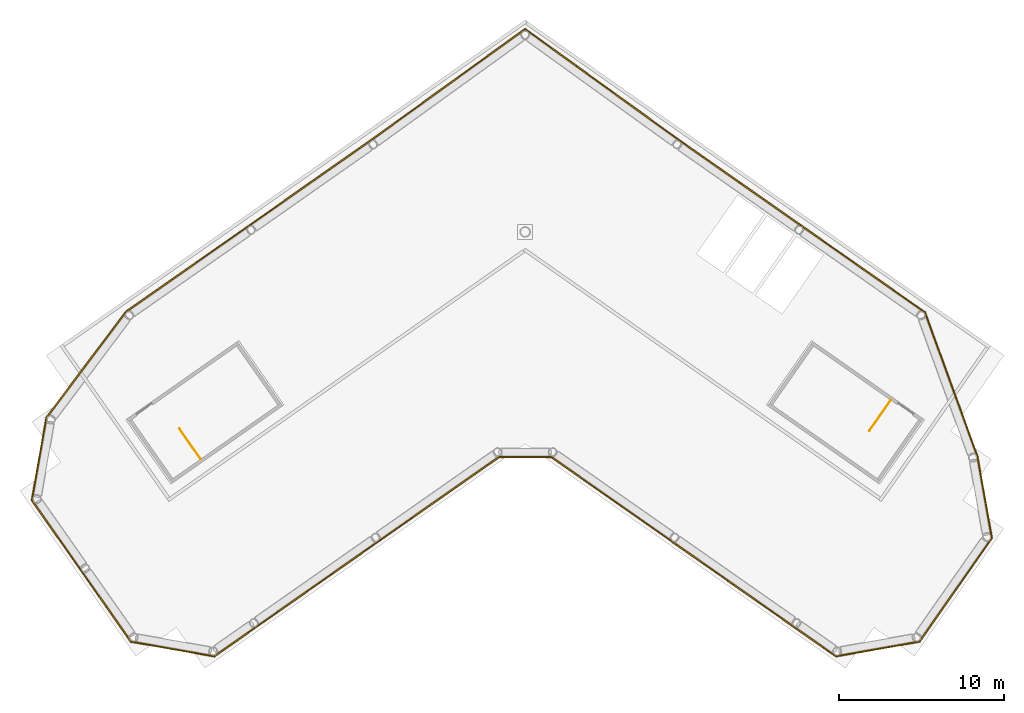
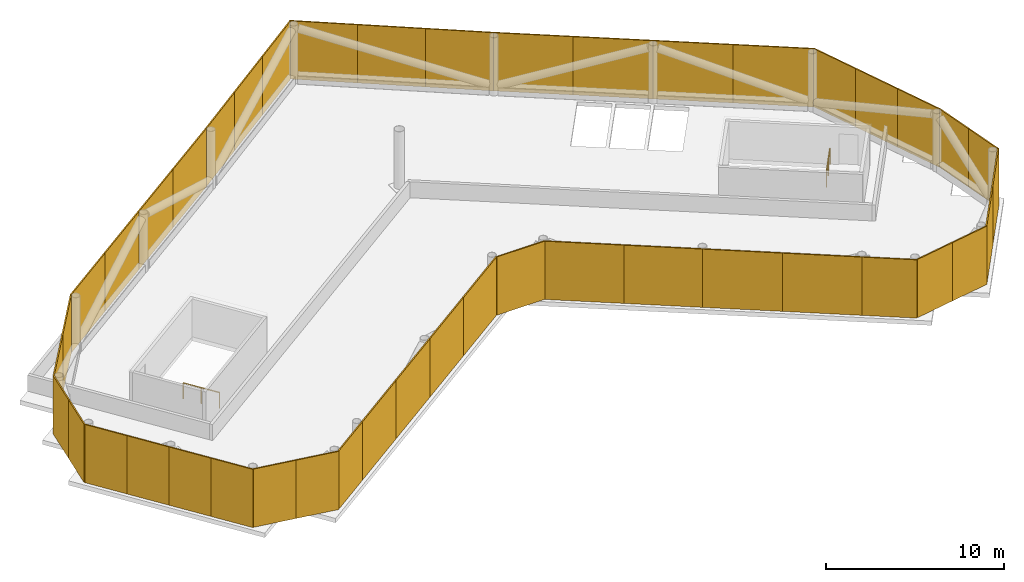
# One storey, part 4 of 4: 44 coverings, 2 railings.
"""IFC4 building model written with IfcOpenShell, lengths in metres."""

from ifc_helpers import new_model, si_unit, direction, frame, origin, origin_2d, place, context, subcontext, project, spatial, rectangle, circle, extrude, material, layer, layer_set, type_object, element, save


model = new_model("IFC4")

# Units and contexts
model_context = context("Model", 3, precision=1e-05, world=origin(), true_north=direction((0.0, 1.0)))
body_context = subcontext(model_context, "Body", "Model", "MODEL_VIEW")
ifc_project = project(units=[si_unit("LENGTHUNIT", "METRE"), si_unit("AREAUNIT", "SQUARE_METRE"), si_unit("VOLUMEUNIT", "CUBIC_METRE"), si_unit("PLANEANGLEUNIT", "RADIAN"), si_unit("MASSUNIT", "GRAM", prefix="KILO")], contexts=[model_context])

# Site, building, storey
site_placement = place(None, origin())
site = spatial("IfcSite", under=ifc_project, at=site_placement, CompositionType="ELEMENT")
building_placement = place(site_placement, origin())
building = spatial("IfcBuilding", under=site, at=building_placement, Name="Tel Ilan Convention Tower", CompositionType="ELEMENT")
storey_placement = place(building_placement, frame((0.0, 0.0, 318.800048828125)))
storey = spatial("IfcBuildingStorey", under=building, at=storey_placement, Name="L75", CompositionType="ELEMENT", Elevation=318.800048828125)

# Coverings
ifc_material_1 = material(Name="Perforated aluminium sheet, bronze anodised", Category="aluminium")
ifc_layer = layer(ifc_material_1, 0.080078125)
ifc_layer_set = layer_set([ifc_layer], Name="CROWN SCREEN CLADDING 80")
covering_type = type_object("IfcCoveringType", Name="CROWN SCREEN CLADDING 80", PredefinedType="CLADDING", material=ifc_layer_set)
covering_1_placement = place(storey_placement, frame((-17.488525390625, -24.74658203125, 0.0), z_axis=(0.0, 0.0, 1.0), x_axis=(0.819059611512, 0.573708421404, 0.0)))
element("IfcCovering", 1, at=covering_1_placement, inside=storey, type_object=covering_type, Name="Crown screen", PredefinedType="CLADDING", context=body_context, shape_type="SweptSolid", body=[
    extrude(rectangle(XDim=3.119873046875, YDim=0.080078125, at=origin_2d()), origin(), (0.0, 0.0, 1.0), 4.0),
])
for number, where, z_axis, x_axis, name in (
    (2, (-14.367919921875, -22.56103515625, 0.0), (0.0, 0.0, 1.0), (0.819148388269, 0.573581657653, 0.0), "Crown screen"),
    (3, (-10.681884765625, -19.980224609375, 0.0), (0.0, 0.0, 1.0), (0.819148388269, 0.573581657653, 0.0), "Crown screen"),
):
    element("IfcCovering", number, at=place(storey_placement, frame(where, z_axis=z_axis, x_axis=x_axis)), inside=storey, type_object=covering_type, Name=name, PredefinedType="CLADDING", context=body_context, shape_type="SweptSolid", body=[
        extrude(rectangle(XDim=4.499755859375, YDim=0.080078125, at=origin_2d()), origin(), (0.0, 0.0, 1.0), 4.0),
    ])
for number, where, z_axis, x_axis, name in (
    (4, (-7.014404296875, -17.412109375, 0.0), (0.0, 0.0, 1.0), (0.819184940043, 0.573529453477, 0.0), "Crown screen"),
    (5, (-3.365234375, -14.857421875, 0.0), (0.0, 0.0, 1.0), (0.819184940043, 0.573529453477, 0.0), "Crown screen"),
):
    element("IfcCovering", number, at=place(storey_placement, frame(where, z_axis=z_axis, x_axis=x_axis)), inside=storey, type_object=covering_type, Name=name, PredefinedType="CLADDING", context=body_context, shape_type="SweptSolid", body=[
        extrude(rectangle(XDim=4.45458984375, YDim=0.080078125, at=origin_2d()), origin(), (0.0, 0.0, 1.0), 4.0),
    ])
covering_2_placement = place(storey_placement, frame((0.0400390625, -13.60302734375, 0.0), z_axis=(0.0, 0.0, 1.0), x_axis=(1.0, 0.0, 0.0)))
element("IfcCovering", 6, at=covering_2_placement, inside=storey, type_object=covering_type, Name="Crown screen", PredefinedType="CLADDING", context=body_context, shape_type="SweptSolid", body=[
    extrude(rectangle(XDim=3.147216796875, YDim=0.080078125, at=origin_2d()), origin(), (0.0, 0.0, 1.0), 4.0),
])
for number, where, z_axis, x_axis, name in (
    (7, (3.430908203125, -14.9033203125, 0.0), (0.0, 0.0, 1.0), (0.819184940043, -0.573529453477, 0.0), "Crown screen"),
    (8, (7.079833984375, -17.4580078125, 0.0), (0.0, 0.0, 1.0), (0.819184940043, -0.573529453477, 0.0), "Crown screen"),
):
    element("IfcCovering", number, at=place(storey_placement, frame(where, z_axis=z_axis, x_axis=x_axis)), inside=storey, type_object=covering_type, Name=name, PredefinedType="CLADDING", context=body_context, shape_type="SweptSolid", body=[
        extrude(rectangle(XDim=4.45458984375, YDim=0.080078125, at=origin_2d()), origin(), (0.0, 0.0, 1.0), 4.0),
    ])
for number, where, z_axis, x_axis, name in (
    (9, (10.747314453125, -20.02587890625, 0.0), (0.0, 0.0, 1.0), (0.819148388269, -0.573581657653, 0.0), "Crown screen"),
    (10, (14.433349609375, -22.60693359375, 0.0), (0.0, 0.0, 1.0), (0.819148388269, -0.573581657653, 0.0), "Crown screen"),
):
    element("IfcCovering", number, at=place(storey_placement, frame(where, z_axis=z_axis, x_axis=x_axis)), inside=storey, type_object=covering_type, Name=name, PredefinedType="CLADDING", context=body_context, shape_type="SweptSolid", body=[
        extrude(rectangle(XDim=4.499755859375, YDim=0.080078125, at=origin_2d()), origin(), (0.0, 0.0, 1.0), 4.0),
    ])
covering_3_placement = place(storey_placement, frame((17.55419921875, -24.79248046875, 0.0), z_axis=(0.0, 0.0, 1.0), x_axis=(0.819059611512, -0.573708421404, 0.0)))
element("IfcCovering", 11, at=covering_3_placement, inside=storey, type_object=covering_type, Name="Crown screen", PredefinedType="CLADDING", context=body_context, shape_type="SweptSolid", body=[
    extrude(rectangle(XDim=3.119873046875, YDim=0.080078125, at=origin_2d()), origin(), (0.0, 0.0, 1.0), 4.0),
])
for number, where, z_axis, x_axis, name in (
    (12, (20.098876953125, -25.435302734375, 0.0), (0.0, 0.0, 1.0), (0.984816554197, 0.173598256268, 0.0), "Crown screen"),
    (13, (22.61962890625, -24.990966796875, 0.0), (0.0, 0.0, 1.0), (0.984816554197, 0.173598256268, 0.0), "Crown screen"),
):
    element("IfcCovering", number, at=place(storey_placement, frame(where, z_axis=z_axis, x_axis=x_axis)), inside=storey, type_object=covering_type, Name=name, PredefinedType="CLADDING", context=body_context, shape_type="SweptSolid", body=[
        extrude(rectangle(XDim=2.5595703125, YDim=0.080078125, at=origin_2d()), origin(), (0.0, 0.0, 1.0), 4.0),
    ])
for number, where, z_axis, x_axis, name in (
    (14, (24.959228515625, -23.17822265625, 0.0), (0.0, 0.0, 1.0), (0.573607436495, 0.81913033688, 0.0), "Crown screen"),
    (15, (27.150634765625, -20.048828125, 0.0), (0.0, 0.0, 1.0), (0.573607436495, 0.81913033688, 0.0), "Crown screen"),
):
    element("IfcCovering", number, at=place(storey_placement, frame(where, z_axis=z_axis, x_axis=x_axis)), inside=storey, type_object=covering_type, Name=name, PredefinedType="CLADDING", context=body_context, shape_type="SweptSolid", body=[
        extrude(rectangle(XDim=3.8203125, YDim=0.080078125, at=origin_2d()), origin(), (0.0, 0.0, 1.0), 4.0),
    ])
for number, where, z_axis, x_axis, name in (
    (16, (27.99853515625, -17.240478515625, 0.0), (0.0, 0.0, 1.0), (-0.173598256268, 0.984816554197, 0.0), "Crown screen"),
    (17, (27.562255859375, -14.766357421875, 0.0), (0.0, 0.0, 1.0), (-0.173598256268, 0.984816554197, 0.0), "Crown screen"),
):
    element("IfcCovering", number, at=place(storey_placement, frame(where, z_axis=z_axis, x_axis=x_axis)), inside=storey, type_object=covering_type, Name=name, PredefinedType="CLADDING", context=body_context, shape_type="SweptSolid", body=[
        extrude(rectangle(XDim=2.51220703125, YDim=0.080078125, at=origin_2d()), origin(), (0.0, 0.0, 1.0), 4.0),
    ])
for number, where, z_axis, x_axis, name in (
    (18, (26.80859375, -12.0791015625, 0.0), (0.0, 0.0, 1.0), (-0.342225395125, 0.939617889853, 0.0), "Crown screen"),
    (19, (25.7509765625, -9.17529296875, 0.0), (0.0, 0.0, 1.0), (-0.342225395125, 0.939617889853, 0.0), "Crown screen"),
    (20, (24.693359375, -6.271240234375, 0.0), (0.0, 0.0, 1.0), (-0.342225395125, 0.939617889853, 0.0), "Crown screen"),
):
    element("IfcCovering", number, at=place(storey_placement, frame(where, z_axis=z_axis, x_axis=x_axis)), inside=storey, type_object=covering_type, Name=name, PredefinedType="CLADDING", context=body_context, shape_type="SweptSolid", body=[
        extrude(rectangle(XDim=3.090576171875, YDim=0.080078125, at=origin_2d()), origin(), (0.0, 0.0, 1.0), 4.0),
    ])
for number, where, z_axis, x_axis, name in (
    (21, (22.28369140625, -3.530029296875, 0.0), (0.0, 0.0, 1.0), (-0.819096180436, 0.573656209934, 0.0), "Crown screen"),
    (22, (18.560302734375, -0.92236328125, 0.0), (0.0, 0.0, 1.0), (-0.819096180436, 0.573656209934, 0.0), "Crown screen"),
):
    element("IfcCovering", number, at=place(storey_placement, frame(where, z_axis=z_axis, x_axis=x_axis)), inside=storey, type_object=covering_type, Name=name, PredefinedType="CLADDING", context=body_context, shape_type="SweptSolid", body=[
        extrude(rectangle(XDim=4.545654296875, YDim=0.080078125, at=origin_2d()), origin(), (0.0, 0.0, 1.0), 4.0),
    ])
for number, where, z_axis, x_axis, name in (
    (23, (14.85595703125, 1.671630859375, 0.0), (0.0, 0.0, 1.0), (-0.819148388189, 0.573581657768, 0.0), "Crown screen"),
    (24, (11.1708984375, 4.252197265625, 0.0), (0.0, 0.0, 1.0), (-0.819148388189, 0.573581657768, 0.0), "Crown screen"),
):
    element("IfcCovering", number, at=place(storey_placement, frame(where, z_axis=z_axis, x_axis=x_axis)), inside=storey, type_object=covering_type, Name=name, PredefinedType="CLADDING", context=body_context, shape_type="SweptSolid", body=[
        extrude(rectangle(XDim=4.498779296875, YDim=0.080078125, at=origin_2d()), origin(), (0.0, 0.0, 1.0), 4.0),
    ])
for number, where, z_axis, x_axis, name in (
    (25, (7.768310546875, 6.668701171875, 0.0), (0.0, 0.0, 1.0), (-0.810862932708, 0.585236109925, 0.0), "Crown screen"),
    (26, (4.648193359375, 8.9208984375, 0.0), (0.0, 0.0, 1.0), (-0.810862932708, 0.585236109925, 0.0), "Crown screen"),
    (27, (1.52783203125, 11.173095703125, 0.0), (0.0, 0.0, 1.0), (-0.810862932708, 0.585236109925, 0.0), "Crown screen"),
    (28, (-1.592529296875, 11.126220703125, 0.0), (0.0, 0.0, 1.0), (-0.810862932708, -0.585236109925, 0.0), "Crown screen"),
    (29, (-4.712890625, 8.8740234375, 0.0), (0.0, 0.0, 1.0), (-0.810862932708, -0.585236109925, 0.0), "Crown screen"),
    (30, (-7.833251953125, 6.6220703125, 0.0), (0.0, 0.0, 1.0), (-0.810862932708, -0.585236109925, 0.0), "Crown screen"),
):
    element("IfcCovering", number, at=place(storey_placement, frame(where, z_axis=z_axis, x_axis=x_axis)), inside=storey, type_object=covering_type, Name=name, PredefinedType="CLADDING", context=body_context, shape_type="SweptSolid", body=[
        extrude(rectangle(XDim=3.84814453125, YDim=0.080078125, at=origin_2d()), origin(), (0.0, 0.0, 1.0), 4.0),
    ])
for number, where, z_axis, x_axis, name in (
    (31, (-11.236328125, 4.206298828125, 0.0), (0.0, 0.0, 1.0), (-0.819148388269, -0.573581657653, 0.0), "Crown screen"),
    (32, (-14.921630859375, 1.625732421875, 0.0), (0.0, 0.0, 1.0), (-0.819148388269, -0.573581657653, 0.0), "Crown screen"),
):
    element("IfcCovering", number, at=place(storey_placement, frame(where, z_axis=z_axis, x_axis=x_axis)), inside=storey, type_object=covering_type, Name=name, PredefinedType="CLADDING", context=body_context, shape_type="SweptSolid", body=[
        extrude(rectangle(XDim=4.498779296875, YDim=0.080078125, at=origin_2d()), origin(), (0.0, 0.0, 1.0), 4.0),
    ])
for number, where, z_axis, x_axis, name in (
    (33, (-18.616455078125, -0.961669921875, 0.0), (0.0, 0.0, 1.0), (-0.819096180516, -0.57365620982, 0.0), "Crown screen"),
    (34, (-22.321533203125, -3.556396484375, 0.0), (0.0, 0.0, 1.0), (-0.819096180516, -0.57365620982, 0.0), "Crown screen"),
):
    element("IfcCovering", number, at=place(storey_placement, frame(where, z_axis=z_axis, x_axis=x_axis)), inside=storey, type_object=covering_type, Name=name, PredefinedType="CLADDING", context=body_context, shape_type="SweptSolid", body=[
        extrude(rectangle(XDim=4.523193359375, YDim=0.080078125, at=origin_2d()), origin(), (0.0, 0.0, 1.0), 4.0),
    ])
for number, where, z_axis, x_axis, name in (
    (35, (-25.3671875, -6.462890625, 0.0), (0.0, 0.0, 1.0), (-0.600648741526, -0.799513032604, 0.0), "Crown screen"),
    (36, (-27.771484375, -9.6630859375, 0.0), (0.0, 0.0, 1.0), (-0.600648741526, -0.799513032604, 0.0), "Crown screen"),
):
    element("IfcCovering", number, at=place(storey_placement, frame(where, z_axis=z_axis, x_axis=x_axis)), inside=storey, type_object=covering_type, Name=name, PredefinedType="CLADDING", context=body_context, shape_type="SweptSolid", body=[
        extrude(rectangle(XDim=4.002685546875, YDim=0.080078125, at=origin_2d()), origin(), (0.0, 0.0, 1.0), 4.0),
    ])
for number, where, z_axis, x_axis, name in (
    (37, (-29.176513671875, -12.5185546875, 0.0), (0.0, 0.0, 1.0), (-0.173598256268, -0.984816554197, 0.0), "Crown screen"),
    (38, (-29.616455078125, -15.014404296875, 0.0), (0.0, 0.0, 1.0), (-0.173598256268, -0.984816554197, 0.0), "Crown screen"),
):
    element("IfcCovering", number, at=place(storey_placement, frame(where, z_axis=z_axis, x_axis=x_axis)), inside=storey, type_object=covering_type, Name=name, PredefinedType="CLADDING", context=body_context, shape_type="SweptSolid", body=[
        extrude(rectangle(XDim=2.5341796875, YDim=0.080078125, at=origin_2d()), origin(), (0.0, 0.0, 1.0), 4.0),
    ])
for number, where, z_axis, x_axis, name in (
    (39, (-29.05810546875, -17.32470703125, 0.0), (0.0, 0.0, 1.0), (0.573514980355, -0.819195072805, 0.0), "Crown screen"),
    (40, (-27.56103515625, -19.462890625, 0.0), (0.0, 0.0, 1.0), (0.573514980355, -0.819195072805, 0.0), "Crown screen"),
):
    element("IfcCovering", number, at=place(storey_placement, frame(where, z_axis=z_axis, x_axis=x_axis)), inside=storey, type_object=covering_type, Name=name, PredefinedType="CLADDING", context=body_context, shape_type="SweptSolid", body=[
        extrude(rectangle(XDim=2.610107421875, YDim=0.080078125, at=origin_2d()), origin(), (0.0, 0.0, 1.0), 4.0),
    ])
for number, where, z_axis, x_axis, name in (
    (41, (-26.06396484375, -21.60107421875, 0.0), (0.0, 0.0, 1.0), (0.573646538701, -0.819102953625, 0.0), "Crown screen"),
    (42, (-24.56640625, -23.739501953125, 0.0), (0.0, 0.0, 1.0), (0.573646538701, -0.819102953625, 0.0), "Crown screen"),
):
    element("IfcCovering", number, at=place(storey_placement, frame(where, z_axis=z_axis, x_axis=x_axis)), inside=storey, type_object=covering_type, Name=name, PredefinedType="CLADDING", context=body_context, shape_type="SweptSolid", body=[
        extrude(rectangle(XDim=2.6103515625, YDim=0.080078125, at=origin_2d()), origin(), (0.0, 0.0, 1.0), 4.0),
    ])
for number, where, z_axis, x_axis, name in (
    (43, (-22.540771484375, -25.0048828125, 0.0), (0.0, 0.0, 1.0), (0.984816554197, -0.173598256268, 0.0), "Crown screen"),
    (44, (-20.02001953125, -25.44921875, 0.0), (0.0, 0.0, 1.0), (0.984816554197, -0.173598256268, 0.0), "Crown screen"),
):
    element("IfcCovering", number, at=place(storey_placement, frame(where, z_axis=z_axis, x_axis=x_axis)), inside=storey, type_object=covering_type, Name=name, PredefinedType="CLADDING", context=body_context, shape_type="SweptSolid", body=[
        extrude(rectangle(XDim=2.5595703125, YDim=0.080078125, at=origin_2d()), origin(), (0.0, 0.0, 1.0), 4.0),
    ])

# Railings
ifc_material_2 = material(Name="Stainless Steel Grade 316", Category="steel")
railing_type = type_object("IfcRailingType", Name="Stainless Steel Stair Guard 1100 mm", PredefinedType="GUARDRAIL", material=ifc_material_2)
railing_1_placement = place(storey_placement, frame((-19.61865234375, -13.737060546875, 0.0)))
element("IfcRailing", 45, at=railing_1_placement, inside=storey, type_object=railing_type, Name="L75 S2 top well guard 1", PredefinedType="GUARDRAIL", context=body_context, shape_type="SweptSolid", body=[
    extrude(circle(Radius=0.02392578125, at=origin_2d()), frame((0.0, 0.0, 1.076171875), z_axis=(-0.573586141663, 0.819145248471, 0.0), x_axis=(-0.819145248471, -0.573586141663, 0.0)), (0.0, 0.0, 1.0), 2.25),
    extrude(circle(Radius=0.02099609375, at=origin_2d()), origin(), (0.0, 0.0, 1.0), 1.052001953125),
    extrude(circle(Radius=0.02099609375, at=origin_2d()), frame((-0.645263671875, 0.92138671875, 0.0)), (0.0, 0.0, 1.0), 1.052001953125),
    extrude(circle(Radius=0.02099609375, at=origin_2d()), frame((-1.29052734375, 1.843017578125, 0.0)), (0.0, 0.0, 1.0), 1.052001953125),
])
railing_2_placement = place(storey_placement, frame((22.11376953125, -10.173828125, 0.0)))
element("IfcRailing", 46, at=railing_2_placement, inside=storey, type_object=railing_type, Name="L75 S4 top well guard 1", PredefinedType="GUARDRAIL", context=body_context, shape_type="SweptSolid", body=[
    extrude(circle(Radius=0.02392578125, at=origin_2d()), frame((0.0, 0.0, 1.076171875), z_axis=(-0.573586141663, -0.819145248471, 0.0), x_axis=(0.819145248471, -0.573586141663, 0.0)), (0.0, 0.0, 1.0), 2.25),
    extrude(circle(Radius=0.02099609375, at=origin_2d()), origin(), (0.0, 0.0, 1.0), 1.052001953125),
    extrude(circle(Radius=0.02099609375, at=origin_2d()), frame((-0.645263671875, -0.92138671875, 0.0)), (0.0, 0.0, 1.0), 1.052001953125),
    extrude(circle(Radius=0.02099609375, at=origin_2d()), frame((-1.29052734375, -1.843017578125, 0.0)), (0.0, 0.0, 1.0), 1.052001953125),
])

save(model, "model.ifc")
